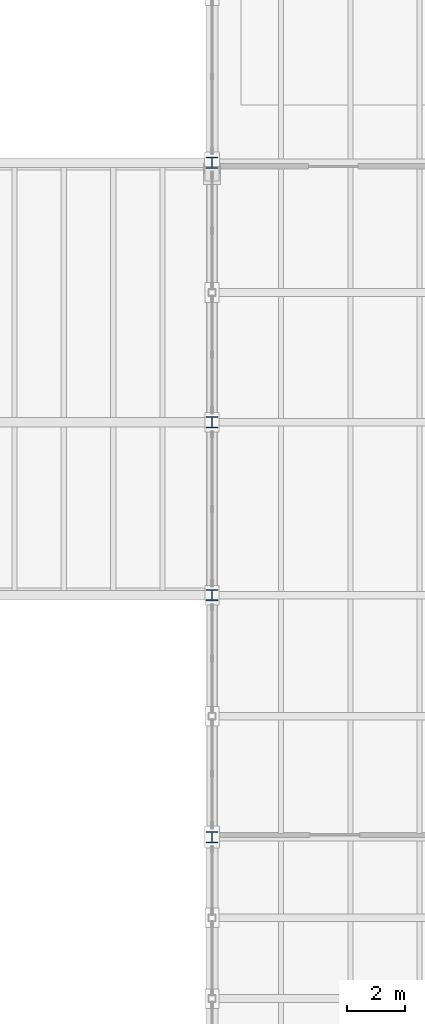
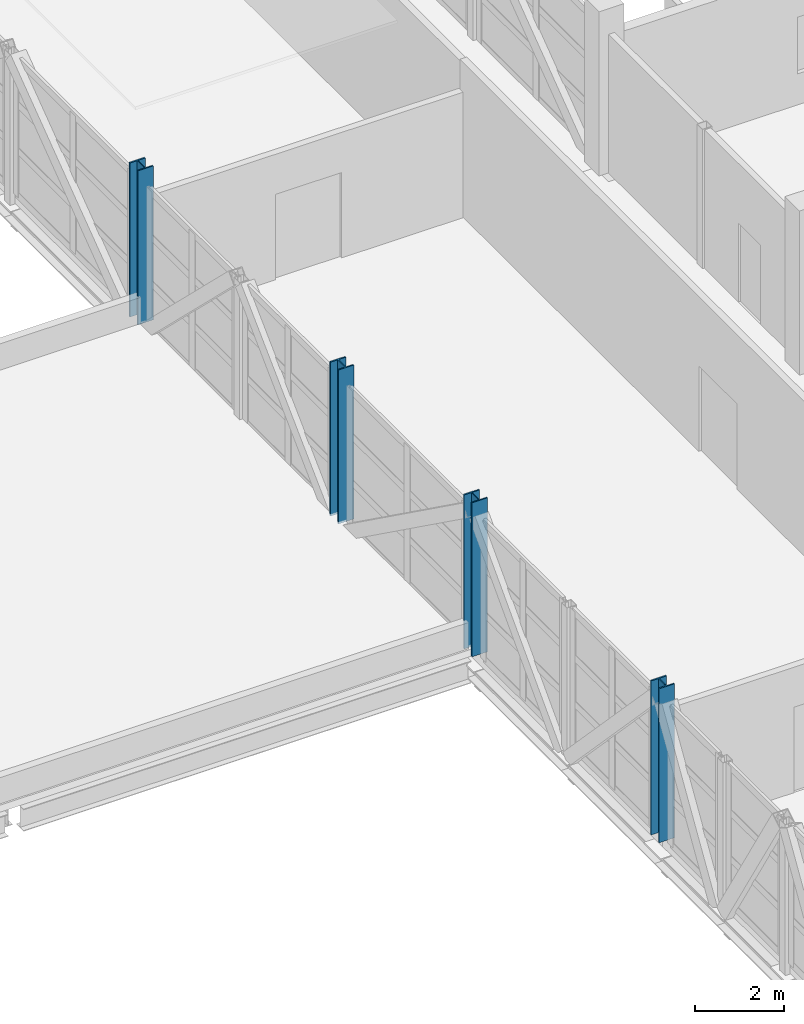
# One storey, part 1 of 63: 4 columns.
"""IFC4 building model written with IfcOpenShell, lengths in metres."""

from ifc_helpers import new_model, si_unit, direction, frame, origin, origin_2d, place, context, subcontext, project, spatial, i_section, extrude, material, material_profile, profile_set, type_object, element, save


model = new_model("IFC4")

# Units and contexts
model_context = context("Model", 3, precision=1e-05, world=origin(), true_north=direction((0.0, 1.0)))
body_context = subcontext(model_context, "Body", "Model", "MODEL_VIEW")
ifc_project = project(units=[si_unit("LENGTHUNIT", "METRE"), si_unit("AREAUNIT", "SQUARE_METRE"), si_unit("VOLUMEUNIT", "CUBIC_METRE"), si_unit("PLANEANGLEUNIT", "RADIAN"), si_unit("MASSUNIT", "GRAM", prefix="KILO")], contexts=[model_context])

# Site, building, storey
site_placement = place(None, origin())
site = spatial("IfcSite", under=ifc_project, at=site_placement, CompositionType="ELEMENT")
building_placement = place(site_placement, origin())
building = spatial("IfcBuilding", under=site, at=building_placement, Name="Kelmvaro Bay Concert Hall", CompositionType="ELEMENT")
storey_placement = place(building_placement, frame((0.0, 0.0, 13.800048828125)))
storey = spatial("IfcBuildingStorey", under=building, at=storey_placement, Name="L03", CompositionType="ELEMENT", Elevation=13.800048828125)

# Columns
ifc_material = material(Name="Steel ASTM A992 Grade 50", Category="steel")
ifc_material_profile = material_profile(ifc_material, i_section(OverallWidth=0.40087890625, OverallDepth=0.39404296875, WebThickness=0.022705078125, FlangeThickness=0.03662109375, at=origin_2d()), Name="W14X193")
ifc_profile_set = profile_set([ifc_material_profile], Name="Steel ASTM A992 Grade 50")
column_type = type_object("IfcColumnType", Name="Bridge Support Column W14x193", PredefinedType="COLUMN", material=ifc_profile_set)
for number, where, z_axis, x_axis, name in (
    (1, (120.0, 15.60009765625, 0.0), (0.0, 0.0, 1.0), (1.0, 0.0, 0.0), "L03 Column V4B-120-156"),
    (2, (120.0, 24.0, 0.0), (0.0, 0.0, 1.0), (1.0, 0.0, 0.0), "L03 Column V4B-120-240"),
    (3, (120.0, 30.0, 0.0), (0.0, 0.0, 1.0), (1.0, 0.0, 0.0), "L03 Column V4B-120-300"),
    (4, (120.0, 39.0, 0.0), (0.0, 0.0, 1.0), (1.0, 0.0, 0.0), "L03 Column V4B-120-390"),
):
    element("IfcColumn", number, at=place(storey_placement, frame(where, z_axis=z_axis, x_axis=x_axis)), inside=storey, type_object=column_type, Name=name, PredefinedType="COLUMN", context=body_context, shape_type="SweptSolid", body=[
        extrude(i_section(OverallWidth=0.40087890625, OverallDepth=0.39404296875, WebThickness=0.022705078125, FlangeThickness=0.03662109375, at=origin_2d()), origin(), (0.0, 0.0, 1.0), 4.219970703125),
    ])

save(model, "model.ifc")
